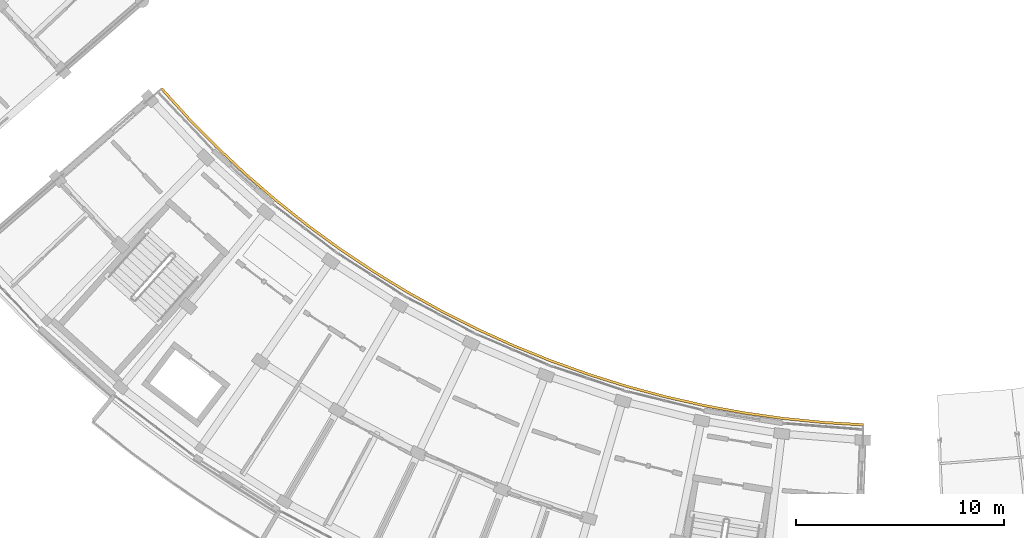
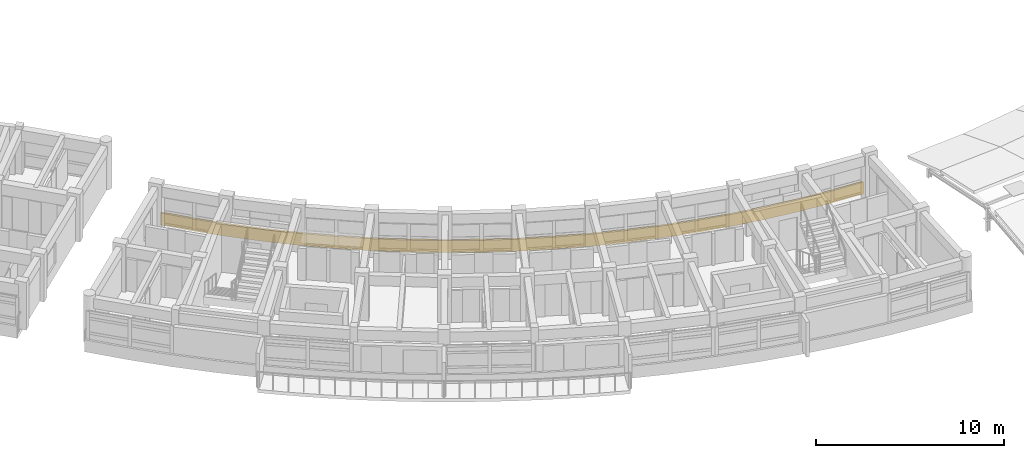
# One storey, part 47 of 50: 1 railing.
"""IFC4 building model written with IfcOpenShell, lengths in metres."""

from ifc_helpers import new_model, si_unit, direction, frame, origin, place, context, subcontext, project, spatial, polyline, outline, extrude, material, type_object, element, save


model = new_model("IFC4")

# Units and contexts
model_context = context("Model", 3, precision=1e-05, world=origin(), true_north=direction((0.0, 1.0)))
body_context = subcontext(model_context, "Body", "Model", "MODEL_VIEW")
ifc_project = project(units=[si_unit("LENGTHUNIT", "METRE"), si_unit("AREAUNIT", "SQUARE_METRE"), si_unit("VOLUMEUNIT", "CUBIC_METRE"), si_unit("PLANEANGLEUNIT", "RADIAN"), si_unit("MASSUNIT", "GRAM", prefix="KILO")], contexts=[model_context])

# Site, building, storey
site_placement = place(None, origin())
site = spatial("IfcSite", under=ifc_project, at=site_placement, CompositionType="ELEMENT")
building_placement = place(site_placement, origin())
building = spatial("IfcBuilding", under=site, at=building_placement, Name="Zimvara Arc Housing Community", CompositionType="ELEMENT")
storey_placement = place(building_placement, frame((0.0, 0.0, 26.699951171875)))
storey = spatial("IfcBuildingStorey", under=building, at=storey_placement, Name="L08", CompositionType="ELEMENT", Elevation=26.699951171875)

# Railing
ifc_material = material(Name="Pale-Gold Anodised Aluminium AW-6063", Category="aluminium")
railing_type = type_object("IfcRailingType", Name="RLG-FAS-780", PredefinedType="BALUSTRADE", material=ifc_material)
railing_placement = place(storey_placement, frame((0.0, 0.0, -0.219970703125)))
element("IfcRailing", 1, at=railing_placement, inside=storey, type_object=railing_type, Name="rlg:blkC:L08:gold_in", PredefinedType="BALUSTRADE", context=body_context, shape_type="SweptSolid", body=[
    extrude(outline(polyline([(90.32763671875, 78.86767578125), (91.62255859375, 77.43798828125), (92.97509765625, 76.062255859375), (94.382568359375, 74.742919921875), (95.8427734375, 73.48193359375), (97.35302734375, 72.28173828125), (98.911376953125, 71.144287109375), (100.5146484375, 70.071533203125), (102.160400390625, 69.06494140625), (103.845947265625, 68.12646484375), (105.568359375, 67.25732421875), (107.32470703125, 66.45947265625), (109.1123046875, 65.734130859375), (110.927978515625, 65.082275390625), (112.768798828125, 64.5048828125), (114.631591796875, 64.00341796875), (116.513427734375, 63.578125), (118.410888671875, 63.230224609375), (120.321044921875, 62.960205078125), (122.24072265625, 62.768310546875), (124.16650390625, 62.65478515625), (124.171142578125, 62.774658203125), (122.250244140625, 62.887939453125), (120.33544921875, 63.079345703125), (118.43017578125, 63.348876953125), (116.537353515625, 63.69580078125), (114.660400390625, 64.119873046875), (112.80224609375, 64.6201171875), (110.96630859375, 65.19580078125), (109.155029296875, 65.84619140625), (107.3720703125, 66.56982421875), (105.6201171875, 67.36572265625), (103.902099609375, 68.232421875), (102.220947265625, 69.16845703125), (100.579345703125, 70.172607421875), (98.97998046875, 71.24267578125), (97.42578125, 72.377197265625), (95.919189453125, 73.574462890625), (94.462890625, 74.83203125), (93.058837890625, 76.14794921875), (91.7099609375, 77.520263671875), (90.41796875, 78.946533203125), (90.32763671875, 78.86767578125)])), origin(), (0.0, 0.0, 1.0), 0.780029296875),
])

save(model, "model.ifc")
